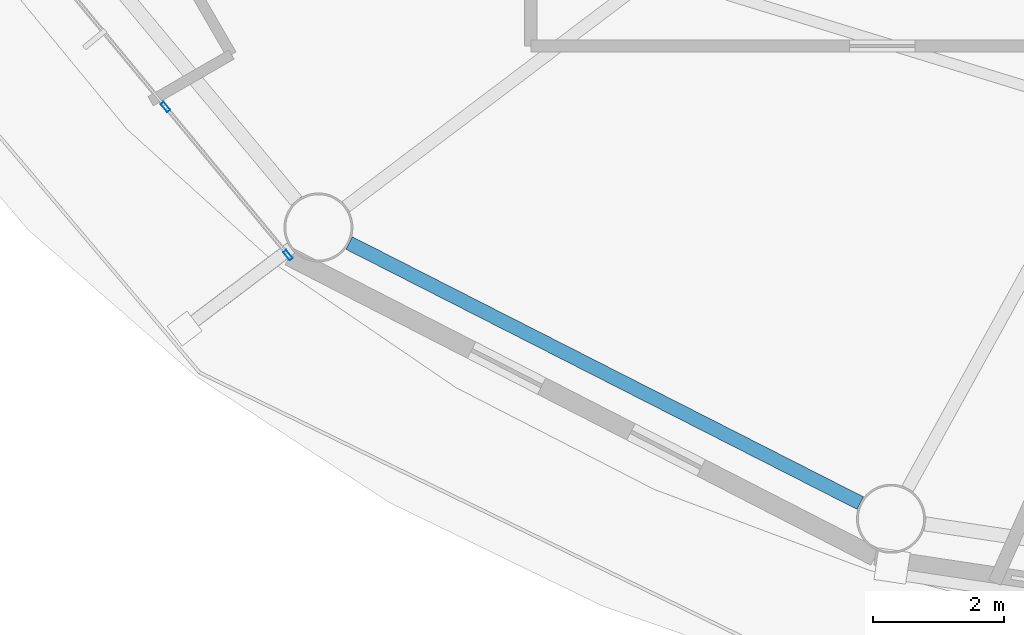
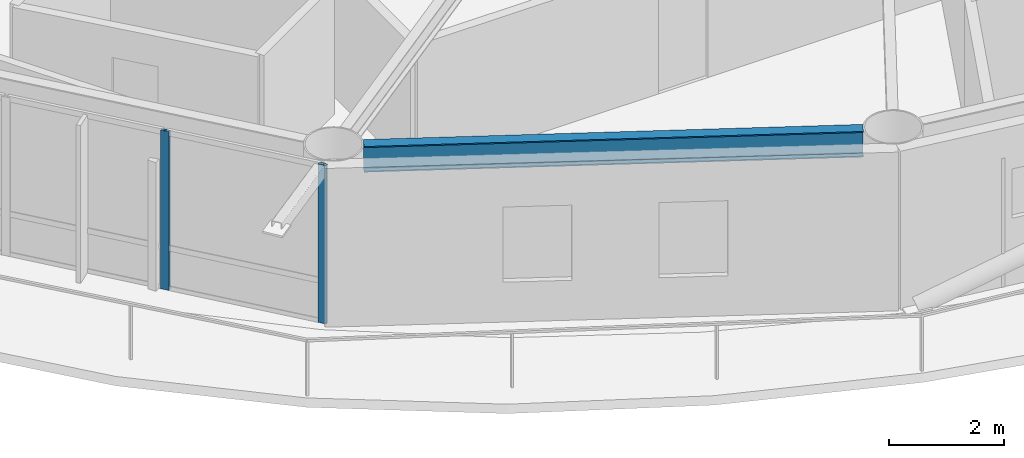
# One storey, part 2 of 29: 2 members, 1 beam, 1 element without a shape of its own.
"""IFC4 building model written with IfcOpenShell, lengths in metres."""

from ifc_helpers import new_model, si_unit, direction, frame, origin, origin_2d, place, context, subcontext, project, spatial, hollow_rectangle, i_section, extrude, material, layer, layer_set, material_profile, profile_set, type_object, element, aggregate, save


model = new_model("IFC4")

# Units and contexts
model_context = context("Model", 3, precision=1e-05, world=origin(), true_north=direction((0.0, 1.0)))
body_context = subcontext(model_context, "Body", "Model", "MODEL_VIEW")
ifc_project = project(units=[si_unit("LENGTHUNIT", "METRE"), si_unit("AREAUNIT", "SQUARE_METRE"), si_unit("VOLUMEUNIT", "CUBIC_METRE"), si_unit("PLANEANGLEUNIT", "RADIAN"), si_unit("MASSUNIT", "GRAM", prefix="KILO")], contexts=[model_context])

# Site, building, storey
site_placement = place(None, origin())
site = spatial("IfcSite", under=ifc_project, at=site_placement, CompositionType="ELEMENT")
building_placement = place(site_placement, origin())
building = spatial("IfcBuilding", under=site, at=building_placement, Name="Sarneth Arch Tower", CompositionType="ELEMENT")
storey_placement = place(building_placement, frame((0.0, 0.0, 175.800048828125)))
storey = spatial("IfcBuildingStorey", under=building, at=storey_placement, Name="L44", CompositionType="ELEMENT", Elevation=175.800048828125)

# Beam
ifc_material_1 = material(Name="Steel S355", Category="steel")
ifc_material_profile_1 = material_profile(ifc_material_1, i_section(OverallWidth=0.214111328125, OverallDepth=0.549072265625, WebThickness=0.0146484375, FlangeThickness=0.023681640625, FilletRadius=0.01806640625, at=origin_2d()), Name="W530x138")
ifc_profile_set_1 = profile_set([ifc_material_profile_1], Name="Steel S355")
beam_type = type_object("IfcBeamType", Name="BM-RAD-530A", PredefinedType="BEAM", material=ifc_profile_set_1)
beam_placement = place(storey_placement, frame((29.334228515625, 27.301513671875, 3.10546875), z_axis=(0.891254220899, -0.453504039374, 0.0), x_axis=(0.453504039374, 0.891254220899, 0.0)))
element("IfcBeam", 1, at=beam_placement, inside=storey, type_object=beam_type, Name="L44 Perimeter spandrel beam 11", PredefinedType="BEAM", context=body_context, shape_type="SweptSolid", body=[
    extrude(i_section(OverallWidth=0.214111328125, OverallDepth=0.549072265625, WebThickness=0.0146484375, FlangeThickness=0.023681640625, FilletRadius=0.01806640625, at=origin_2d()), origin(), (0.0, 0.0, 1.0), 8.724853515625),
])

# Curtain wall, members
ifc_material_2 = material(Name="Anodised aluminium Type AA25 and solar-control low-e laminated IGU", Category="aluminium")
ifc_layer = layer(ifc_material_2, 0.169921875)
ifc_layer_set = layer_set([ifc_layer], Name="Anodised aluminium Type AA25 and solar-control low-e laminated IGU")
curtain_wall_type = type_object("IfcCurtainWallType", Name="CW-RES-MID", PredefinedType="NOTDEFINED", material=ifc_layer_set)
curtain_wall_placement = place(storey_placement, origin())
curtain_wall = element("IfcCurtainWall", 2, at=curtain_wall_placement, inside=storey, type_object=curtain_wall_type, Name="L44 Unitised curtain wall facet 10", PredefinedType="NOTDEFINED")
ifc_material_3 = material(Name="Anodised Aluminium 6063-T6", Category="aluminium")
ifc_material_profile_2 = material_profile(ifc_material_3, hollow_rectangle(XDim=0.06005859375, YDim=0.159912109375, WallThickness=0.00390625, at=origin_2d()), Name="AL-MULL-160x60x4")
ifc_profile_set_2 = profile_set([ifc_material_profile_2], Name="Anodised Aluminium 6063-T6")
member_type = type_object("IfcMemberType", Name="CW-MULLION", PredefinedType="MULLION", material=ifc_profile_set_2)
member_1_placement = place(storey_placement, frame((26.53857421875, 29.373779296875, 0.0), z_axis=(0.0, 0.0, 1.0), x_axis=(0.770590741276, 0.637330298558, 0.0)))
member_1 = element("IfcMember", 3, at=member_1_placement, type_object=member_type, Name="CW-SYS-5 mullion 3", PredefinedType="MULLION", context=body_context, shape_type="SweptSolid", body=[
    extrude(hollow_rectangle(XDim=0.06005859375, YDim=0.159912109375, WallThickness=0.00390625, at=origin_2d()), origin(), (0.0, 0.0, 1.0), 3.3798828125),
])
member_2_placement = place(storey_placement, frame((28.40478515625, 27.1171875, 0.0), z_axis=(0.0, 0.0, 1.0), x_axis=(0.770590741276, 0.637330298558, 0.0)))
member_2 = element("IfcMember", 4, at=member_2_placement, type_object=member_type, Name="CW-SYS-5 mullion 4", PredefinedType="MULLION", context=body_context, shape_type="SweptSolid", body=[
    extrude(hollow_rectangle(XDim=0.06005859375, YDim=0.159912109375, WallThickness=0.00390625, at=origin_2d()), origin(), (0.0, 0.0, 1.0), 3.3798828125),
])
aggregate(curtain_wall, [member_1, member_2])

save(model, "model.ifc")
